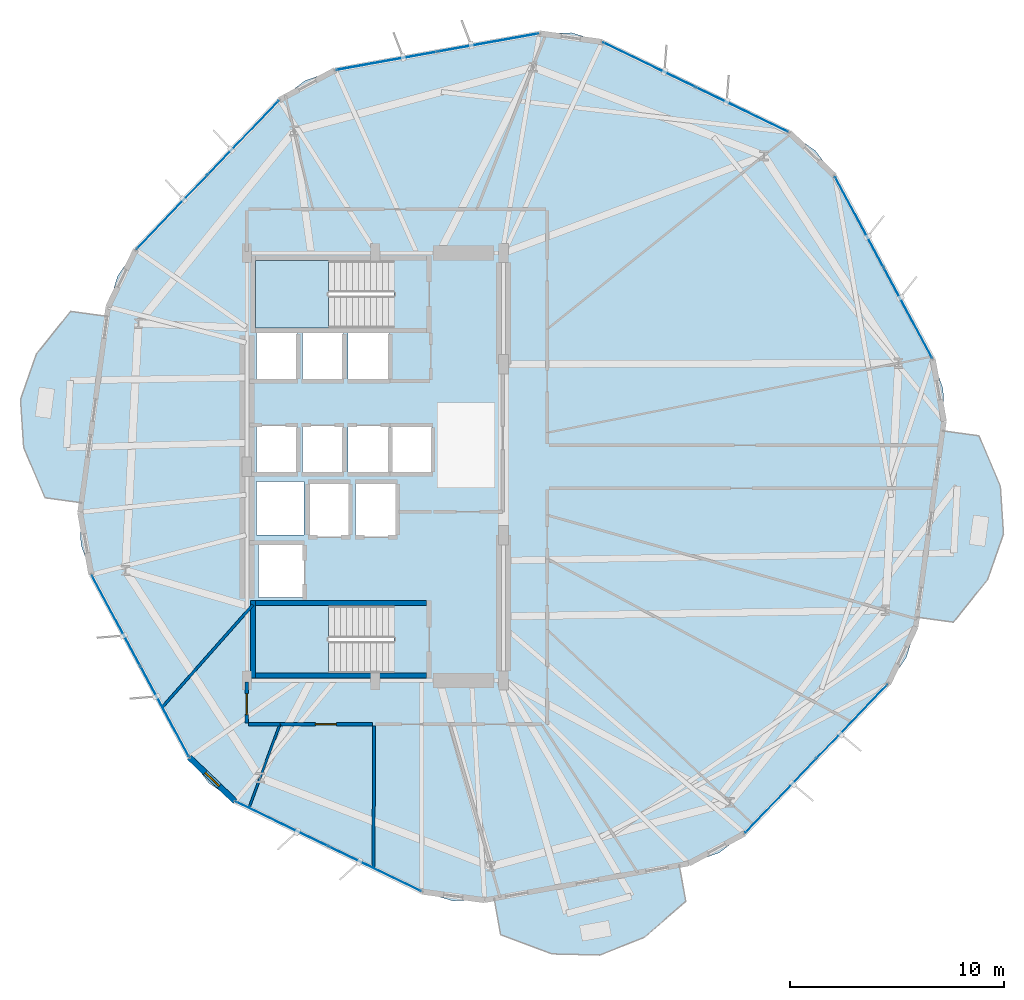
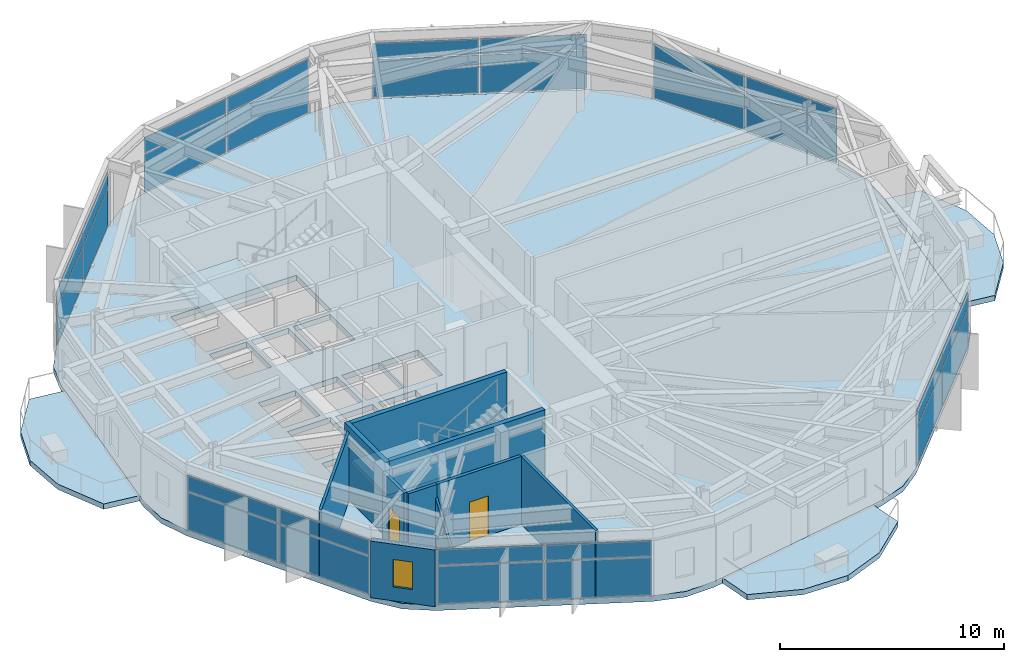
# One storey, part 16 of 22: 28 plates, 10 walls, 6 slabs, 2 doors, 1 window, 3 openings, 9 elements without a shape of their own.
"""IFC4 building model written with IfcOpenShell, lengths in metres."""

from ifc_helpers import new_model, si_unit, direction, frame, frame_2d, origin, origin_2d, place, context, subcontext, project, spatial, polyline, rectangle, outline, extrude, material, layer, layer_set, type_object, element, fill, aggregate, save


model = new_model("IFC4")

# Units and contexts
model_context = context("Model", 3, precision=1e-05, world=origin(), true_north=direction((0.0, 1.0)))
body_context = subcontext(model_context, "Body", "Model", "MODEL_VIEW")
ifc_project = project(units=[si_unit("LENGTHUNIT", "METRE"), si_unit("AREAUNIT", "SQUARE_METRE"), si_unit("VOLUMEUNIT", "CUBIC_METRE"), si_unit("PLANEANGLEUNIT", "RADIAN"), si_unit("MASSUNIT", "GRAM", prefix="KILO")], contexts=[model_context])

# Site, building, storey
site_placement = place(None, origin())
site = spatial("IfcSite", under=ifc_project, at=site_placement, CompositionType="ELEMENT")
building_placement = place(site_placement, origin())
building = spatial("IfcBuilding", under=site, at=building_placement, Name="Soratama Intermodal Tower", CompositionType="ELEMENT")
storey_placement = place(building_placement, frame((0.0, 0.0, 66.60009765625)))
storey = spatial("IfcBuildingStorey", under=building, at=storey_placement, Name="L15", CompositionType="ELEMENT", Elevation=66.60009765625)

# Curtain wall, plates
ifc_material_1 = material(Name="Double-glazed aluminium curtain wall", Category="aluminium")
ifc_layer_1 = layer(ifc_material_1, 0.159912109375)
ifc_layer_set_1 = layer_set([ifc_layer_1], Name="Double-glazed aluminium curtain wall")
curtain_wall_type = type_object("IfcCurtainWallType", Name="CW-SYS-2", PredefinedType="NOTDEFINED", material=ifc_layer_set_1)
curtain_wall_1_placement = place(storey_placement, origin())
curtain_wall_1 = element("IfcCurtainWall", 1, at=curtain_wall_1_placement, inside=storey, type_object=curtain_wall_type, Name="L15 Faceted Curtain Wall F01", PredefinedType="NOTDEFINED")
ifc_material_2 = material(Name="Low-E laminated double glazing", Category="glass")
ifc_layer_2 = layer(ifc_material_2, 0.031982421875)
ifc_layer_set_2 = layer_set([ifc_layer_2], Name="Low-E laminated double glazing")
plate_type = type_object("IfcPlateType", Name="PT-CWP-2", PredefinedType="CURTAIN_PANEL", material=ifc_layer_set_2)
plate_1_placement = place(storey_placement, frame((63.52099609375, 32.197021484375, 0.059814453125), z_axis=(0.0, 0.0, 1.0), x_axis=(-0.47255015854, 0.881303777176, 0.0)))
plate_1 = element("IfcPlate", 2, at=plate_1_placement, type_object=plate_type, Name="CW-2 panel 1.1", PredefinedType="CURTAIN_PANEL", context=body_context, shape_type="SweptSolid", body=[
    extrude(rectangle(XDim=4.759033203125, YDim=0.028076171875, at=origin_2d()), origin(), (0.0, 0.0, 1.0), 2.06005859375),
])
plate_2_placement = place(storey_placement, frame((63.52099609375, 32.197021484375, 2.1796875), z_axis=(0.0, 0.0, 1.0), x_axis=(-0.47255015854, 0.881303777176, 0.0)))
plate_2 = element("IfcPlate", 3, at=plate_2_placement, type_object=plate_type, Name="CW-2 panel 1.2", PredefinedType="CURTAIN_PANEL", context=body_context, shape_type="SweptSolid", body=[
    extrude(rectangle(XDim=4.759033203125, YDim=0.028076171875, at=origin_2d()), origin(), (0.0, 0.0, 1.0), 0.839111328125),
])
plate_3_placement = place(storey_placement, frame((61.243896484375, 36.44384765625, 0.059814453125), z_axis=(0.0, 0.0, 1.0), x_axis=(-0.47255015854, 0.881303777176, 0.0)))
plate_3 = element("IfcPlate", 4, at=plate_3_placement, type_object=plate_type, Name="CW-2 panel 2.1", PredefinedType="CURTAIN_PANEL", context=body_context, shape_type="SweptSolid", body=[
    extrude(rectangle(XDim=4.759033203125, YDim=0.028076171875, at=origin_2d()), origin(), (0.0, 0.0, 1.0), 2.06005859375),
])
plate_4_placement = place(storey_placement, frame((61.243896484375, 36.44384765625, 2.1796875), z_axis=(0.0, 0.0, 1.0), x_axis=(-0.47255015854, 0.881303777176, 0.0)))
plate_4 = element("IfcPlate", 5, at=plate_4_placement, type_object=plate_type, Name="CW-2 panel 2.2", PredefinedType="CURTAIN_PANEL", context=body_context, shape_type="SweptSolid", body=[
    extrude(rectangle(XDim=4.759033203125, YDim=0.028076171875, at=origin_2d()), origin(), (0.0, 0.0, 1.0), 0.839111328125),
])
aggregate(curtain_wall_1, [plate_1, plate_2, plate_3, plate_4])

curtain_wall_2_placement = place(storey_placement, origin())
curtain_wall_2 = element("IfcCurtainWall", 6, at=curtain_wall_2_placement, inside=storey, type_object=curtain_wall_type, Name="L15 Faceted Curtain Wall F02", PredefinedType="NOTDEFINED")
plate_5_placement = place(storey_placement, frame((55.753662109375, 41.708984375, 0.059814453125), z_axis=(0.0, 0.0, 1.0), x_axis=(-0.900321815381, 0.435224802543, 0.0)))
plate_5 = element("IfcPlate", 7, at=plate_5_placement, type_object=plate_type, Name="CW-2 panel 1.1", PredefinedType="CURTAIN_PANEL", context=body_context, shape_type="SweptSolid", body=[
    extrude(rectangle(XDim=4.759033203125, YDim=0.028076171875, at=origin_2d()), origin(), (0.0, 0.0, 1.0), 2.06005859375),
])
plate_6_placement = place(storey_placement, frame((55.753662109375, 41.708984375, 2.1796875), z_axis=(0.0, 0.0, 1.0), x_axis=(-0.900321815381, 0.435224802543, 0.0)))
plate_6 = element("IfcPlate", 8, at=plate_6_placement, type_object=plate_type, Name="CW-2 panel 1.2", PredefinedType="CURTAIN_PANEL", context=body_context, shape_type="SweptSolid", body=[
    extrude(rectangle(XDim=4.759033203125, YDim=0.028076171875, at=origin_2d()), origin(), (0.0, 0.0, 1.0), 0.839111328125),
])
plate_7_placement = place(storey_placement, frame((51.4150390625, 43.80615234375, 0.059814453125), z_axis=(0.0, 0.0, 1.0), x_axis=(-0.900321815381, 0.435224802543, 0.0)))
plate_7 = element("IfcPlate", 9, at=plate_7_placement, type_object=plate_type, Name="CW-2 panel 2.1", PredefinedType="CURTAIN_PANEL", context=body_context, shape_type="SweptSolid", body=[
    extrude(rectangle(XDim=4.759033203125, YDim=0.028076171875, at=origin_2d()), origin(), (0.0, 0.0, 1.0), 2.06005859375),
])
plate_8_placement = place(storey_placement, frame((51.4150390625, 43.80615234375, 2.1796875), z_axis=(0.0, 0.0, 1.0), x_axis=(-0.900321815381, 0.435224802543, 0.0)))
plate_8 = element("IfcPlate", 10, at=plate_8_placement, type_object=plate_type, Name="CW-2 panel 2.2", PredefinedType="CURTAIN_PANEL", context=body_context, shape_type="SweptSolid", body=[
    extrude(rectangle(XDim=4.759033203125, YDim=0.028076171875, at=origin_2d()), origin(), (0.0, 0.0, 1.0), 0.839111328125),
])
aggregate(curtain_wall_2, [plate_5, plate_6, plate_7, plate_8])

curtain_wall_3_placement = place(storey_placement, origin())
curtain_wall_3 = element("IfcCurtainWall", 11, at=curtain_wall_3_placement, inside=storey, type_object=curtain_wall_type, Name="L15 Faceted Curtain Wall F03", PredefinedType="NOTDEFINED")
plate_9_placement = place(storey_placement, frame((43.878662109375, 44.838623046875, 0.059814453125), z_axis=(0.0, 0.0, 1.0), x_axis=(-0.984196732826, -0.177078488513, 0.0)))
plate_9 = element("IfcPlate", 12, at=plate_9_placement, type_object=plate_type, Name="CW-2 panel 1.1", PredefinedType="CURTAIN_PANEL", context=body_context, shape_type="SweptSolid", body=[
    extrude(rectangle(XDim=4.759033203125, YDim=0.028076171875, at=origin_2d()), origin(), (0.0, 0.0, 1.0), 2.06005859375),
])
plate_10_placement = place(storey_placement, frame((43.878662109375, 44.838623046875, 2.1796875), z_axis=(0.0, 0.0, 1.0), x_axis=(-0.984196732826, -0.177078488513, 0.0)))
plate_10 = element("IfcPlate", 13, at=plate_10_placement, type_object=plate_type, Name="CW-2 panel 1.2", PredefinedType="CURTAIN_PANEL", context=body_context, shape_type="SweptSolid", body=[
    extrude(rectangle(XDim=4.759033203125, YDim=0.028076171875, at=origin_2d()), origin(), (0.0, 0.0, 1.0), 0.839111328125),
])
plate_11_placement = place(storey_placement, frame((39.1357421875, 43.9853515625, 0.059814453125), z_axis=(0.0, 0.0, 1.0), x_axis=(-0.984196732826, -0.177078488513, 0.0)))
plate_11 = element("IfcPlate", 14, at=plate_11_placement, type_object=plate_type, Name="CW-2 panel 2.1", PredefinedType="CURTAIN_PANEL", context=body_context, shape_type="SweptSolid", body=[
    extrude(rectangle(XDim=4.759033203125, YDim=0.028076171875, at=origin_2d()), origin(), (0.0, 0.0, 1.0), 2.06005859375),
])
plate_12_placement = place(storey_placement, frame((39.1357421875, 43.9853515625, 2.1796875), z_axis=(0.0, 0.0, 1.0), x_axis=(-0.984196732826, -0.177078488513, 0.0)))
plate_12 = element("IfcPlate", 15, at=plate_12_placement, type_object=plate_type, Name="CW-2 panel 2.2", PredefinedType="CURTAIN_PANEL", context=body_context, shape_type="SweptSolid", body=[
    extrude(rectangle(XDim=4.759033203125, YDim=0.028076171875, at=origin_2d()), origin(), (0.0, 0.0, 1.0), 0.839111328125),
])
aggregate(curtain_wall_3, [plate_9, plate_10, plate_11, plate_12])

curtain_wall_4_placement = place(storey_placement, origin())
curtain_wall_4 = element("IfcCurtainWall", 16, at=curtain_wall_4_placement, inside=storey, type_object=curtain_wall_type, Name="L15 Faceted Curtain Wall F04", PredefinedType="NOTDEFINED")
plate_13_placement = place(storey_placement, frame((32.431884765625, 40.390625, 0.059814453125), z_axis=(0.0, 0.0, 1.0), x_axis=(-0.692144513142, -0.721758943781, 0.0)))
plate_13 = element("IfcPlate", 17, at=plate_13_placement, type_object=plate_type, Name="CW-2 panel 1.1", PredefinedType="CURTAIN_PANEL", context=body_context, shape_type="SweptSolid", body=[
    extrude(rectangle(XDim=4.759033203125, YDim=0.028076171875, at=origin_2d()), origin(), (0.0, 0.0, 1.0), 2.06005859375),
])
plate_14_placement = place(storey_placement, frame((32.431884765625, 40.390625, 2.1796875), z_axis=(0.0, 0.0, 1.0), x_axis=(-0.692144513142, -0.721758943781, 0.0)))
plate_14 = element("IfcPlate", 18, at=plate_14_placement, type_object=plate_type, Name="CW-2 panel 1.2", PredefinedType="CURTAIN_PANEL", context=body_context, shape_type="SweptSolid", body=[
    extrude(rectangle(XDim=4.759033203125, YDim=0.028076171875, at=origin_2d()), origin(), (0.0, 0.0, 1.0), 0.839111328125),
])
plate_15_placement = place(storey_placement, frame((29.096435546875, 36.91259765625, 0.059814453125), z_axis=(0.0, 0.0, 1.0), x_axis=(-0.692144513142, -0.721758943781, 0.0)))
plate_15 = element("IfcPlate", 19, at=plate_15_placement, type_object=plate_type, Name="CW-2 panel 2.1", PredefinedType="CURTAIN_PANEL", context=body_context, shape_type="SweptSolid", body=[
    extrude(rectangle(XDim=4.759033203125, YDim=0.028076171875, at=origin_2d()), origin(), (0.0, 0.0, 1.0), 2.06005859375),
])
plate_16_placement = place(storey_placement, frame((29.096435546875, 36.91259765625, 2.1796875), z_axis=(0.0, 0.0, 1.0), x_axis=(-0.692144513142, -0.721758943781, 0.0)))
plate_16 = element("IfcPlate", 20, at=plate_16_placement, type_object=plate_type, Name="CW-2 panel 2.2", PredefinedType="CURTAIN_PANEL", context=body_context, shape_type="SweptSolid", body=[
    extrude(rectangle(XDim=4.759033203125, YDim=0.028076171875, at=origin_2d()), origin(), (0.0, 0.0, 1.0), 0.839111328125),
])
aggregate(curtain_wall_4, [plate_13, plate_14, plate_15, plate_16])

curtain_wall_5_placement = place(storey_placement, origin())
curtain_wall_5 = element("IfcCurtainWall", 21, at=curtain_wall_5_placement, inside=storey, type_object=curtain_wall_type, Name="L15 Faceted Curtain Wall F06", PredefinedType="NOTDEFINED")
plate_17_placement = place(storey_placement, frame((26.47900390625, 17.802978515625, 0.059814453125), z_axis=(0.0, 0.0, 1.0), x_axis=(0.47255015854, -0.881303777176, 0.0)))
plate_17 = element("IfcPlate", 22, at=plate_17_placement, type_object=plate_type, Name="CW-2 panel 1.1", PredefinedType="CURTAIN_PANEL", context=body_context, shape_type="SweptSolid", body=[
    extrude(rectangle(XDim=4.759033203125, YDim=0.028076171875, at=origin_2d()), origin(), (0.0, 0.0, 1.0), 2.06005859375),
])
plate_18_placement = place(storey_placement, frame((26.47900390625, 17.802978515625, 2.1796875), z_axis=(0.0, 0.0, 1.0), x_axis=(0.47255015854, -0.881303777176, 0.0)))
plate_18 = element("IfcPlate", 23, at=plate_18_placement, type_object=plate_type, Name="CW-2 panel 1.2", PredefinedType="CURTAIN_PANEL", context=body_context, shape_type="SweptSolid", body=[
    extrude(rectangle(XDim=4.759033203125, YDim=0.028076171875, at=origin_2d()), origin(), (0.0, 0.0, 1.0), 0.839111328125),
])
plate_19_placement = place(storey_placement, frame((28.756103515625, 13.55615234375, 0.059814453125), z_axis=(0.0, 0.0, 1.0), x_axis=(0.47255015854, -0.881303777176, 0.0)))
plate_19 = element("IfcPlate", 24, at=plate_19_placement, type_object=plate_type, Name="CW-2 panel 2.1", PredefinedType="CURTAIN_PANEL", context=body_context, shape_type="SweptSolid", body=[
    extrude(rectangle(XDim=4.759033203125, YDim=0.028076171875, at=origin_2d()), origin(), (0.0, 0.0, 1.0), 2.06005859375),
])
plate_20_placement = place(storey_placement, frame((28.756103515625, 13.55615234375, 2.1796875), z_axis=(0.0, 0.0, 1.0), x_axis=(0.47255015854, -0.881303777176, 0.0)))
plate_20 = element("IfcPlate", 25, at=plate_20_placement, type_object=plate_type, Name="CW-2 panel 2.2", PredefinedType="CURTAIN_PANEL", context=body_context, shape_type="SweptSolid", body=[
    extrude(rectangle(XDim=4.759033203125, YDim=0.028076171875, at=origin_2d()), origin(), (0.0, 0.0, 1.0), 0.839111328125),
])
aggregate(curtain_wall_5, [plate_17, plate_18, plate_19, plate_20])

curtain_wall_6_placement = place(storey_placement, origin())
curtain_wall_6 = element("IfcCurtainWall", 26, at=curtain_wall_6_placement, inside=storey, type_object=curtain_wall_type, Name="L15 Faceted Curtain Wall F07", PredefinedType="NOTDEFINED")
plate_21_placement = place(storey_placement, frame((34.246337890625, 8.291015625, 0.059814453125), z_axis=(0.0, 0.0, 1.0), x_axis=(0.900321815381, -0.435224802543, 0.0)))
plate_21 = element("IfcPlate", 27, at=plate_21_placement, type_object=plate_type, Name="CW-2 panel 1.1", PredefinedType="CURTAIN_PANEL", context=body_context, shape_type="SweptSolid", body=[
    extrude(rectangle(XDim=4.759033203125, YDim=0.028076171875, at=origin_2d()), origin(), (0.0, 0.0, 1.0), 2.06005859375),
])
plate_22_placement = place(storey_placement, frame((34.246337890625, 8.291015625, 2.1796875), z_axis=(0.0, 0.0, 1.0), x_axis=(0.900321815381, -0.435224802543, 0.0)))
plate_22 = element("IfcPlate", 28, at=plate_22_placement, type_object=plate_type, Name="CW-2 panel 1.2", PredefinedType="CURTAIN_PANEL", context=body_context, shape_type="SweptSolid", body=[
    extrude(rectangle(XDim=4.759033203125, YDim=0.028076171875, at=origin_2d()), origin(), (0.0, 0.0, 1.0), 0.839111328125),
])
plate_23_placement = place(storey_placement, frame((38.5849609375, 6.19384765625, 0.059814453125), z_axis=(0.0, 0.0, 1.0), x_axis=(0.900321815381, -0.435224802543, 0.0)))
plate_23 = element("IfcPlate", 29, at=plate_23_placement, type_object=plate_type, Name="CW-2 panel 2.1", PredefinedType="CURTAIN_PANEL", context=body_context, shape_type="SweptSolid", body=[
    extrude(rectangle(XDim=4.759033203125, YDim=0.028076171875, at=origin_2d()), origin(), (0.0, 0.0, 1.0), 2.06005859375),
])
plate_24_placement = place(storey_placement, frame((38.5849609375, 6.19384765625, 2.1796875), z_axis=(0.0, 0.0, 1.0), x_axis=(0.900321815381, -0.435224802543, 0.0)))
plate_24 = element("IfcPlate", 30, at=plate_24_placement, type_object=plate_type, Name="CW-2 panel 2.2", PredefinedType="CURTAIN_PANEL", context=body_context, shape_type="SweptSolid", body=[
    extrude(rectangle(XDim=4.759033203125, YDim=0.028076171875, at=origin_2d()), origin(), (0.0, 0.0, 1.0), 0.839111328125),
])
aggregate(curtain_wall_6, [plate_21, plate_22, plate_23, plate_24])

curtain_wall_7_placement = place(storey_placement, origin())
curtain_wall_7 = element("IfcCurtainWall", 31, at=curtain_wall_7_placement, inside=storey, type_object=curtain_wall_type, Name="L15 Faceted Curtain Wall F09", PredefinedType="NOTDEFINED")
plate_25_placement = place(storey_placement, frame((57.568115234375, 9.609375, 0.059814453125), z_axis=(0.0, 0.0, 1.0), x_axis=(0.692144513142, 0.721758943781, 0.0)))
plate_25 = element("IfcPlate", 32, at=plate_25_placement, type_object=plate_type, Name="CW-2 panel 1.1", PredefinedType="CURTAIN_PANEL", context=body_context, shape_type="SweptSolid", body=[
    extrude(rectangle(XDim=4.759033203125, YDim=0.028076171875, at=origin_2d()), origin(), (0.0, 0.0, 1.0), 2.06005859375),
])
plate_26_placement = place(storey_placement, frame((57.568115234375, 9.609375, 2.1796875), z_axis=(0.0, 0.0, 1.0), x_axis=(0.692144513142, 0.721758943781, 0.0)))
plate_26 = element("IfcPlate", 33, at=plate_26_placement, type_object=plate_type, Name="CW-2 panel 1.2", PredefinedType="CURTAIN_PANEL", context=body_context, shape_type="SweptSolid", body=[
    extrude(rectangle(XDim=4.759033203125, YDim=0.028076171875, at=origin_2d()), origin(), (0.0, 0.0, 1.0), 0.839111328125),
])
plate_27_placement = place(storey_placement, frame((60.903564453125, 13.08740234375, 0.059814453125), z_axis=(0.0, 0.0, 1.0), x_axis=(0.692144513142, 0.721758943781, 0.0)))
plate_27 = element("IfcPlate", 34, at=plate_27_placement, type_object=plate_type, Name="CW-2 panel 2.1", PredefinedType="CURTAIN_PANEL", context=body_context, shape_type="SweptSolid", body=[
    extrude(rectangle(XDim=4.759033203125, YDim=0.028076171875, at=origin_2d()), origin(), (0.0, 0.0, 1.0), 2.06005859375),
])
plate_28_placement = place(storey_placement, frame((60.903564453125, 13.08740234375, 2.1796875), z_axis=(0.0, 0.0, 1.0), x_axis=(0.692144513142, 0.721758943781, 0.0)))
plate_28 = element("IfcPlate", 35, at=plate_28_placement, type_object=plate_type, Name="CW-2 panel 2.2", PredefinedType="CURTAIN_PANEL", context=body_context, shape_type="SweptSolid", body=[
    extrude(rectangle(XDim=4.759033203125, YDim=0.028076171875, at=origin_2d()), origin(), (0.0, 0.0, 1.0), 0.839111328125),
])
aggregate(curtain_wall_7, [plate_25, plate_26, plate_27, plate_28])

# Slabs
ifc_material_3 = material(Name="Concrete f'c 42 MPa", Category="concrete")
ifc_layer_3 = layer(ifc_material_3, 0.2900390625)
ifc_layer_set_3 = layer_set([ifc_layer_3], Name="Concrete f'c 42 MPa")
slab_type_1 = type_object("IfcSlabType", Name="SL-EXT-BAL2", PredefinedType="FLOOR", material=ifc_layer_set_3)
slab_1_placement = place(storey_placement, frame((0.0, 0.0, -0.2900390625)))
element("IfcSlab", 36, at=slab_1_placement, inside=storey, type_object=slab_type_1, Name="L15 Planted Balcony East 1", PredefinedType="FLOOR", context=body_context, shape_type="SweptSolid", body=[
    extrude(outline(polyline([(63.944091796875, 17.96484375), (65.13818359375, 26.681396484375), (66.84228515625, 26.447998046875), (67.842529296875, 24.091064453125), (67.989013671875, 21.850830078125), (67.24560546875, 19.732666015625), (65.648193359375, 17.7314453125), (63.944091796875, 17.96484375)])), origin(), (0.0, 0.0, 1.0), 0.2900390625),
])
slab_2_placement = place(storey_placement, frame((0.0, 0.0, -0.2900390625)))
element("IfcSlab", 37, at=slab_2_placement, inside=storey, type_object=slab_type_1, Name="L15 Planted Balcony West 2", PredefinedType="FLOOR", context=body_context, shape_type="SweptSolid", body=[
    extrude(outline(polyline([(26.055908203125, 32.03515625), (24.86181640625, 23.318603515625), (23.15771484375, 23.552001953125), (22.157470703125, 25.908935546875), (22.010986328125, 28.149169921875), (22.75439453125, 30.267333984375), (24.351806640625, 32.2685546875), (26.055908203125, 32.03515625)])), origin(), (0.0, 0.0, 1.0), 0.2900390625),
])
slab_3_placement = place(storey_placement, frame((0.0, 0.0, -0.2900390625)))
element("IfcSlab", 38, at=slab_3_placement, inside=storey, type_object=slab_type_1, Name="L15 Planted Balcony South 3", PredefinedType="FLOOR", context=body_context, shape_type="SweptSolid", body=[
    extrude(outline(polyline([(44.163330078125, 4.80908203125), (52.822265625, 6.366943359375), (53.126708984375, 4.67431640625), (51.194091796875, 2.994384765625), (49.10888671875, 2.1630859375), (46.86474609375, 2.215576171875), (44.468017578125, 3.1162109375), (44.163330078125, 4.80908203125)])), origin(), (0.0, 0.0, 1.0), 0.2900390625),
])

# Stair, slab
ifc_material_4 = material(Name="Concrete f'c 42 MPa", Category="concrete")
stair_type = type_object("IfcStairType", Name="ST-CORE-DOGLEG", PredefinedType="HALF_TURN_STAIR", material=ifc_material_4)
stair_1_placement = place(storey_placement, origin())
stair_1 = element("IfcStair", 39, at=stair_1_placement, inside=storey, type_object=stair_type, Name="L15 ST-1", PredefinedType="HALF_TURN_STAIR")
ifc_material_5 = material(Name="Concrete f'c 42 MPa", Category="concrete")
ifc_layer_4 = layer(ifc_material_5, 0.219970703125)
ifc_layer_set_4 = layer_set([ifc_layer_4], Name="Concrete f'c 42 MPa")
slab_type_2 = type_object("IfcSlabType", Name="SL-STAIR-LAND", PredefinedType="LANDING", material=ifc_layer_set_4)
slab_4_placement = place(storey_placement, frame((0.0, 0.0, 1.7998046875)))
slab_4 = element("IfcSlab", 40, at=slab_4_placement, type_object=slab_type_2, Name="ST-1 landing 1", PredefinedType="LANDING", context=body_context, shape_type="SweptSolid", body=[
    extrude(outline(polyline([(36.419921875, 18.5), (33.0, 18.5), (33.0, 15.35009765625), (36.419921875, 15.35009765625), (36.419921875, 18.5)])), origin(), (0.0, 0.0, 1.0), 0.2001953125),
])
aggregate(stair_1, [slab_4])

stair_2_placement = place(storey_placement, origin())
stair_2 = element("IfcStair", 41, at=stair_2_placement, inside=storey, type_object=stair_type, Name="L15 ST-2", PredefinedType="HALF_TURN_STAIR")
slab_5_placement = place(storey_placement, frame((0.0, 0.0, 1.7998046875)))
slab_5 = element("IfcSlab", 42, at=slab_5_placement, type_object=slab_type_2, Name="ST-2 landing 1", PredefinedType="LANDING", context=body_context, shape_type="SweptSolid", body=[
    extrude(outline(polyline([(36.419921875, 34.64990234375), (33.0, 34.64990234375), (33.0, 31.5), (36.419921875, 31.5), (36.419921875, 34.64990234375)])), origin(), (0.0, 0.0, 1.0), 0.2001953125),
])
aggregate(stair_2, [slab_5])

# Slab
ifc_material_6 = material(Name="Concrete f'c 42 MPa", Category="concrete")
ifc_layer_5 = layer(ifc_material_6, 0.280029296875)
ifc_layer_set_5 = layer_set([ifc_layer_5], Name="Concrete f'c 42 MPa")
slab_type_3 = type_object("IfcSlabType", Name="SL-TWR-280", PredefinedType="FLOOR", material=ifc_layer_set_5)
slab_6_placement = place(storey_placement, frame((0.0, 0.0, -0.300048828125)))
element("IfcSlab", 43, at=slab_6_placement, inside=storey, type_object=slab_type_3, Name="L15 Structural Floor Slab", PredefinedType="FLOOR", context=body_context, shape_type="SweptSolid", body=[
    extrude(outline(polyline([(65.19921875, 27.127197265625), (65.167724609375, 28.62890625), (64.673828125, 30.047119140625), (60.091064453125, 38.593994140625), (59.18310546875, 39.7900390625), (57.949951171875, 40.647216796875), (49.21875, 44.867919921875), (47.781005859375, 45.302001953125), (46.279541015625, 45.2705078125), (36.73486328125, 43.55322265625), (35.316650390625, 43.059326171875), (34.120361328125, 42.1513671875), (27.407958984375, 35.15185546875), (26.551025390625, 33.918701171875), (26.116943359375, 32.48095703125), (24.80078125, 22.872802734375), (24.832275390625, 21.37109375), (25.326171875, 19.952880859375), (29.908935546875, 11.406005859375), (30.81689453125, 10.2099609375), (32.050048828125, 9.352783203125), (40.78125, 5.132080078125), (42.218994140625, 4.697998046875), (43.720458984375, 4.7294921875), (53.26513671875, 6.44677734375), (54.683349609375, 6.940673828125), (55.879638671875, 7.8486328125), (62.592041015625, 14.84814453125), (63.448974609375, 16.081298828125), (63.883056640625, 17.51904296875), (65.19921875, 27.127197265625)]), holes=[polyline([(33.0, 18.5), (33.0, 15.35009765625), (39.47509765625, 15.35009765625), (39.47509765625, 18.5), (33.0, 18.5)]), polyline([(35.260009765625, 18.889892578125), (35.260009765625, 21.409912109375), (33.139892578125, 21.409912109375), (33.139892578125, 18.889892578125), (35.260009765625, 18.889892578125)]), polyline([(33.050048828125, 21.800048828125), (35.280029296875, 21.800048828125), (35.280029296875, 24.320068359375), (33.050048828125, 24.320068359375), (33.050048828125, 21.800048828125)]), polyline([(34.9599609375, 26.909912109375), (33.0400390625, 26.909912109375), (33.0400390625, 24.68994140625), (34.9599609375, 24.68994140625), (34.9599609375, 26.909912109375)]), polyline([(37.110107421875, 24.68994140625), (37.110107421875, 26.909912109375), (35.18994140625, 26.909912109375), (35.18994140625, 24.68994140625), (37.110107421875, 24.68994140625)]), polyline([(34.9599609375, 29.0400390625), (34.9599609375, 31.260009765625), (33.0400390625, 31.260009765625), (33.0400390625, 29.0400390625), (34.9599609375, 29.0400390625)]), polyline([(37.110107421875, 31.260009765625), (35.18994140625, 31.260009765625), (35.18994140625, 29.0400390625), (37.110107421875, 29.0400390625), (37.110107421875, 31.260009765625)]), polyline([(37.409912109375, 21.739990234375), (37.409912109375, 24.260009765625), (35.489990234375, 24.260009765625), (35.489990234375, 21.739990234375), (37.409912109375, 21.739990234375)]), polyline([(39.610107421875, 21.739990234375), (39.610107421875, 24.260009765625), (37.68994140625, 24.260009765625), (37.68994140625, 21.739990234375), (39.610107421875, 21.739990234375)]), polyline([(39.260009765625, 24.68994140625), (39.260009765625, 26.909912109375), (37.340087890625, 26.909912109375), (37.340087890625, 24.68994140625), (39.260009765625, 24.68994140625)]), polyline([(41.260009765625, 24.68994140625), (41.260009765625, 26.909912109375), (39.340087890625, 26.909912109375), (39.340087890625, 24.68994140625), (41.260009765625, 24.68994140625)]), polyline([(39.260009765625, 29.0400390625), (39.260009765625, 31.260009765625), (37.340087890625, 31.260009765625), (37.340087890625, 29.0400390625), (39.260009765625, 29.0400390625)]), polyline([(39.47509765625, 34.64990234375), (33.0, 34.64990234375), (33.0, 31.5), (39.47509765625, 31.5), (39.47509765625, 34.64990234375)])]), origin(), (0.0, 0.0, 1.0), 0.300048828125),
])

# Wall, opening, window
ifc_material_7 = material(Name="Concrete f'c 42 MPa", Category="concrete")
ifc_layer_6 = layer(ifc_material_7, 0.27001953125)
ifc_layer_set_6 = layer_set([ifc_layer_6], Name="Concrete f'c 42 MPa")
wall_type_1 = type_object("IfcWallType", Name="EW-CRN-270", PredefinedType="SOLIDWALL", material=ifc_layer_set_6)
wall_1_placement = place(storey_placement, frame((29.908935546875, 11.406005859375, 0.0), z_axis=(0.0, 0.0, 1.0), x_axis=(0.721765475307, -0.69213770209, 0.0)))
wall_1 = element("IfcWall", 44, at=wall_1_placement, inside=storey, type_object=wall_type_1, Name="L15 Corner Closure Wall 06", PredefinedType="SOLIDWALL", context=body_context, shape_type="SweptSolid", body=[
    extrude(rectangle(XDim=2.966552734375, YDim=0.27001953125, at=frame_2d((1.4833984375, 0.0))), origin(), (0.0, 0.0, 1.0), 3.078857421875),
])
opening_1_placement = place(wall_1_placement, frame((1.033203125, 0.0, 0.75)))
opening_1 = element("IfcOpeningElement", 45, at=opening_1_placement, cuts=wall_1, Name="Opening WN-6", PredefinedType="OPENING", context=body_context, shape_type="SweptSolid", body=[
    extrude(rectangle(XDim=0.89990234375, YDim=1.5, at=frame_2d((0.449951171875, 0.75))), frame((0.0, 0.14501953125, 0.0), z_axis=(0.0, -1.0, 0.0), x_axis=(1.0, 0.0, 0.0)), (0.0, 0.0, 1.0), 0.2900390625),
])
ifc_material_8 = material(Name="Double-glazed aluminium window", Category="aluminium")
window_type = type_object("IfcWindowType", Name="WN-FAC-900", PartitioningType="SINGLE_PANEL", PredefinedType="WINDOW", material=ifc_material_8)
window_placement = place(opening_1_placement, origin())
window = element("IfcWindow", 46, at=window_placement, inside=storey, type_object=window_type, Name="L15 Corner Window 06", OverallHeight=1.5, OverallWidth=0.89990234375, PartitioningType="SINGLE_PANEL", PredefinedType="WINDOW", context=body_context, shape_type="SweptSolid", body=[
    extrude(rectangle(XDim=0.89990234375, YDim=1.5, at=frame_2d((0.449951171875, 0.75))), frame((0.0, 0.030029296875, 0.0), z_axis=(0.0, -1.0, 0.0), x_axis=(1.0, 0.0, 0.0)), (0.0, 0.0, 1.0), 0.06005859375),
])
fill(opening_1, window)

# Wall, opening, door
ifc_material_9 = material(Name="Fire-rated gypsum stud partition", Category="concrete")
ifc_layer_7 = layer(ifc_material_9, 0.169921875)
ifc_layer_set_7 = layer_set([ifc_layer_7], Name="Fire-rated gypsum stud partition")
wall_type_2 = type_object("IfcWallType", Name="IW-PART-R170", PredefinedType="PARTITIONING", material=ifc_layer_set_7)
wall_2_placement = place(storey_placement, frame((38.47900390625, 12.949951171875, 0.0), z_axis=(0.0, 0.0, 1.0), x_axis=(-1.0, 0.0, 0.0)))
wall_2 = element("IfcWall", 47, at=wall_2_placement, inside=storey, type_object=wall_type_2, Name="L15 Partition W-L15-TP019", PredefinedType="PARTITIONING", context=body_context, shape_type="SweptSolid", body=[
    extrude(rectangle(XDim=4.3359375, YDim=0.169921875, at=frame_2d((2.16796875, 0.0))), origin(), (0.0, 0.0, 1.0), 3.699951171875),
])
opening_2_placement = place(wall_2_placement, frame((1.693115234375, 0.0, 0.0)))
opening_2 = element("IfcOpeningElement", 48, at=opening_2_placement, cuts=wall_2, Name="Opening ID-5", PredefinedType="OPENING", context=body_context, shape_type="SweptSolid", body=[
    extrude(rectangle(XDim=0.97998046875, YDim=2.14990234375, at=frame_2d((0.489990234375, 1.074951171875))), frame((0.0, 0.094970703125, 0.0), z_axis=(0.0, -1.0, 0.0), x_axis=(1.0, 0.0, 0.0)), (0.0, 0.0, 1.0), 0.18994140625),
])
ifc_material_10 = material(Name="Solid hardwood acoustic door", Category="wood")
door_type = type_object("IfcDoorType", Name="DR-OFF-980", OperationType="NOTDEFINED", PredefinedType="DOOR", material=ifc_material_10)
door_1_placement = place(opening_2_placement, origin())
door_1 = element("IfcDoor", 49, at=door_1_placement, inside=storey, type_object=door_type, Name="L15 Door D-L15-TP008", OperationType="SINGLE_SWING_LEFT", OverallHeight=2.14990234375, OverallWidth=0.97998046875, PredefinedType="DOOR", context=body_context, shape_type="SweptSolid", body=[
    extrude(rectangle(XDim=0.97998046875, YDim=2.14990234375, at=frame_2d((0.489990234375, 1.074951171875))), frame((0.0, 0.02490234375, 0.0), z_axis=(0.0, -1.0, 0.0), x_axis=(1.0, 0.0, 0.0)), (0.0, 0.0, 1.0), 0.050048828125),
])
fill(opening_2, door_1)

wall_3_placement = place(storey_placement, frame((32.60009765625, 13.02001953125, 0.0), z_axis=(0.0, 0.0, 1.0), x_axis=(0.0, 1.0, 0.0)))
wall_3 = element("IfcWall", 50, at=wall_3_placement, inside=storey, type_object=wall_type_2, Name="L15 Partition W-L15-TP029", PredefinedType="PARTITIONING", context=body_context, shape_type="SweptSolid", body=[
    extrude(rectangle(XDim=1.909912109375, YDim=0.169921875, at=frame_2d((0.955078125, 0.0))), origin(), (0.0, 0.0, 1.0), 3.699951171875),
])
opening_3_placement = place(wall_3_placement, frame((0.384033203125, 0.0, 0.0)))
opening_3 = element("IfcOpeningElement", 51, at=opening_3_placement, cuts=wall_3, Name="Opening ID-5", PredefinedType="OPENING", context=body_context, shape_type="SweptSolid", body=[
    extrude(rectangle(XDim=0.97998046875, YDim=2.14990234375, at=frame_2d((0.489990234375, 1.074951171875))), frame((0.0, 0.094970703125, 0.0), z_axis=(0.0, -1.0, 0.0), x_axis=(1.0, 0.0, 0.0)), (0.0, 0.0, 1.0), 0.18994140625),
])
door_2_placement = place(opening_3_placement, origin())
door_2 = element("IfcDoor", 52, at=door_2_placement, inside=storey, type_object=door_type, Name="L15 Door D-L15-TP016", OperationType="SINGLE_SWING_LEFT", OverallHeight=2.14990234375, OverallWidth=0.97998046875, PredefinedType="DOOR", context=body_context, shape_type="SweptSolid", body=[
    extrude(rectangle(XDim=0.97998046875, YDim=2.14990234375, at=frame_2d((0.489990234375, 1.074951171875))), frame((0.0, 0.02490234375, 0.0), z_axis=(0.0, -1.0, 0.0), x_axis=(1.0, 0.0, 0.0)), (0.0, 0.0, 1.0), 0.050048828125),
])
fill(opening_3, door_2)

# Walls
wall_4_placement = place(storey_placement, frame((34.14306640625, 12.949951171875, 0.0), z_axis=(0.0, 0.0, 1.0), x_axis=(-1.0, 0.0, 0.0)))
element("IfcWall", 53, at=wall_4_placement, inside=storey, type_object=wall_type_2, Name="L15 Partition W-L15-TP033", PredefinedType="PARTITIONING", context=body_context, shape_type="SweptSolid", body=[
    extrude(rectangle(XDim=1.47314453125, YDim=0.169921875, at=frame_2d((0.736572265625, 0.0))), origin(), (0.0, 0.0, 1.0), 3.699951171875),
])
ifc_material_11 = material(Name="Fire-rated gypsum stud partition", Category="concrete")
ifc_layer_8 = layer(ifc_material_11, 0.110107421875)
ifc_layer_set_8 = layer_set([ifc_layer_8], Name="Fire-rated gypsum stud partition")
wall_type_3 = type_object("IfcWallType", Name="IW-PART-S110", PredefinedType="PARTITIONING", material=ifc_layer_set_8)
wall_5_placement = place(storey_placement, frame((34.14306640625, 12.949951171875, 0.0), z_axis=(0.0, 0.0, 1.0), x_axis=(-0.346877521655, -0.937910435474, 0.0)))
element("IfcWall", 54, at=wall_5_placement, inside=storey, type_object=wall_type_3, Name="L15 Partition W-L15-TP021", PredefinedType="PARTITIONING", context=body_context, shape_type="SweptSolid", body=[
    extrude(rectangle(XDim=4.168701171875, YDim=0.110107421875, at=frame_2d((2.08447265625, 0.0))), origin(), (0.0, 0.0, 1.0), 2.994873046875),
])
ifc_material_12 = material(Name="Fire-rated gypsum stud partition", Category="concrete")
ifc_layer_9 = layer(ifc_material_12, 0.1298828125)
ifc_layer_set_9 = layer_set([ifc_layer_9], Name="Fire-rated gypsum stud partition")
wall_type_4 = type_object("IfcWallType", Name="IW-PART-S130", PredefinedType="PARTITIONING", material=ifc_layer_set_9)
wall_6_placement = place(storey_placement, frame((32.8798828125, 18.5400390625, 0.0), z_axis=(0.0, 0.0, 1.0), x_axis=(-0.66312401375, -0.748509547293, 0.0)))
element("IfcWall", 55, at=wall_6_placement, inside=storey, type_object=wall_type_4, Name="L15 Partition W-L15-TP014", PredefinedType="PARTITIONING", context=body_context, shape_type="SweptSolid", body=[
    extrude(rectangle(XDim=6.384765625, YDim=0.1298828125, at=frame_2d((3.1923828125, 0.0))), origin(), (0.0, 0.0, 1.0), 3.699951171875),
])
ifc_material_13 = material(Name="Fire-rated gypsum stud partition", Category="concrete")
ifc_layer_10 = layer(ifc_material_13, 0.139892578125)
ifc_layer_set_10 = layer_set([ifc_layer_10], Name="Fire-rated gypsum stud partition")
wall_type_5 = type_object("IfcWallType", Name="IW-PART-S140", PredefinedType="PARTITIONING", material=ifc_layer_set_10)
wall_7_placement = place(storey_placement, frame((38.549072265625, 12.8798828125, 0.0), z_axis=(0.0, 0.0, 1.0), x_axis=(-0.004071567748, -0.999991711134, 0.0)))
element("IfcWall", 56, at=wall_7_placement, inside=storey, type_object=wall_type_5, Name="L15 Partition W-L15-TP013", PredefinedType="PARTITIONING", context=body_context, shape_type="SweptSolid", body=[
    extrude(rectangle(XDim=6.65576171875, YDim=0.139892578125, at=frame_2d((3.327880859375, 0.0))), origin(), (0.0, 0.0, 1.0), 3.699951171875),
])
ifc_material_14 = material(Name="Concrete f'c 56 MPa", Category="concrete")
ifc_layer_11 = layer(ifc_material_14, 0.239990234375)
ifc_layer_set_11 = layer_set([ifc_layer_11], Name="Concrete f'c 56 MPa")
wall_type_6 = type_object("IfcWallType", Name="SW-STAIR-240", PredefinedType="SHEAR", material=ifc_layer_set_11)
wall_8_placement = place(storey_placement, frame((32.8798828125, 15.110107421875, 0.0), z_axis=(0.0, 0.0, 1.0), x_axis=(0.0, 1.0, 0.0)))
element("IfcWall", 57, at=wall_8_placement, inside=storey, type_object=wall_type_6, Name="L15 ST-1 Shaft Shear Wall W", PredefinedType="SHEAR", context=body_context, shape_type="SweptSolid", body=[
    extrude(rectangle(XDim=3.6298828125, YDim=0.239990234375, at=frame_2d((1.81494140625, 0.0))), origin(), (0.0, 0.0, 1.0), 4.0),
])
for number, where, z_axis, x_axis, name in (
    (58, (33.0, 15.22998046875, 0.0), (0.0, 0.0, 1.0), (1.0, 0.0, 0.0), "L15 ST-1 Shaft Shear Wall S"),
    (59, (33.0, 18.6201171875, 0.0), (0.0, 0.0, 1.0), (1.0, 0.0, 0.0), "L15 ST-1 Shaft Shear Wall N"),
):
    element("IfcWall", number, at=place(storey_placement, frame(where, z_axis=z_axis, x_axis=x_axis)), inside=storey, type_object=wall_type_6, Name=name, PredefinedType="SHEAR", context=body_context, shape_type="SweptSolid", body=[
        extrude(rectangle(XDim=8.0, YDim=0.239990234375, at=frame_2d((4.0, 0.0))), origin(), (0.0, 0.0, 1.0), 4.0),
    ])

save(model, "model.ifc")
